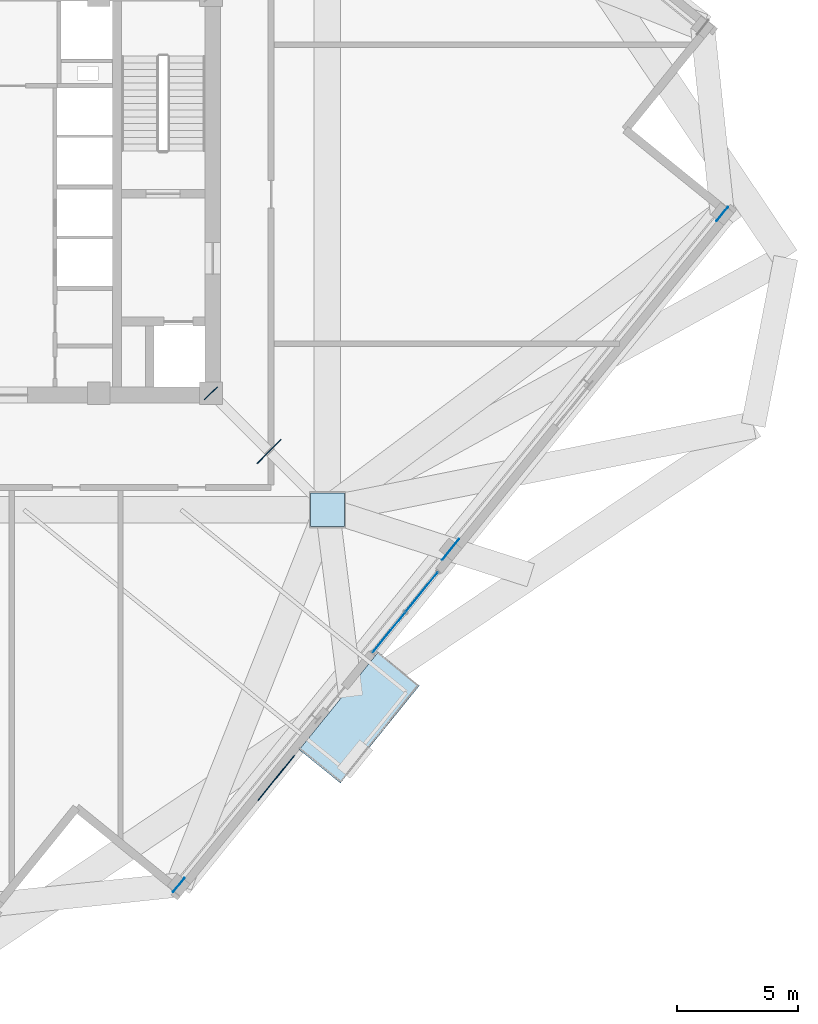
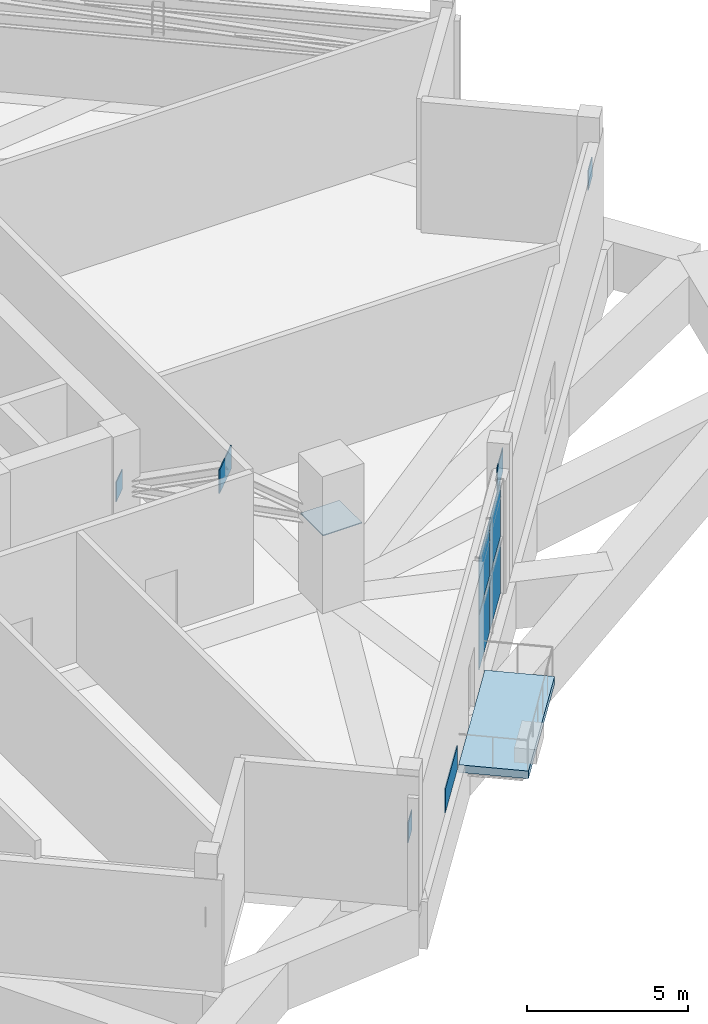
# One storey, part 14 of 22: 11 plates, 1 slab, 1 element without a shape of its own.
"""IFC4 building model written with IfcOpenShell, lengths in metres."""

import ifcopenshell
import ifcopenshell.guid

model = None  # the IFC model being written
_history = None  # IfcOwnerHistory: only IFC2X3 demands one
_inside = {}  # id of a spatial element -> (the spatial element, [elements in it])
_under = {}  # id of a project, library or spatial element -> (it, [spatial elements below it])
_declared = {}  # id of a project -> (the project, [libraries it declares])
_typed = {}  # id of a type object -> (the type object, [elements of that type])
_made_of = {}  # id of a material, layer set ... -> (it, [elements and type objects made of it])


def new_model(schema):
    """Start an empty IFC model of exactly this schema.

    Asked for "IFC4X3", IfcOpenShell would pick the latest addendum, in which some entities
    have other attributes; the version numbers below select the first issue.
    IFC2X3 requires an IfcOwnerHistory on every rooted entity: one is made here for all.
    """
    global model, _history
    if schema == "IFC4X3":
        model = ifcopenshell.file(schema_version=(4, 3, 0, 0))
    else:
        model = ifcopenshell.file(schema=schema)
    _inside.clear()
    _under.clear()
    _declared.clear()
    _typed.clear()
    _made_of.clear()
    _history = None
    if model.schema == "IFC2X3":
        org = make("IfcOrganization", Name="unknown")
        user = make(
            "IfcPersonAndOrganization",
            ThePerson=make("IfcPerson", FamilyName="unknown"),
            TheOrganization=org,
        )
        app = make(
            "IfcApplication",
            ApplicationDeveloper=org,
            Version="unknown",
            ApplicationFullName="unknown",
            ApplicationIdentifier="unknown",
        )
        _history = make(
            "IfcOwnerHistory",
            OwningUser=user,
            OwningApplication=app,
            ChangeAction="ADDED",
            CreationDate=0,
        )
    return model


def make(cls, **values):
    """One entity of the class cls with the attributes given. An attribute that is None is left unset."""
    return model.create_entity(
        cls, **{name: value for name, value in values.items() if value is not None}
    )


def rooted(cls, **values):
    """An entity with a GlobalId (a new one), such as an element, a storey or a relation."""
    return make(cls, GlobalId=ifcopenshell.guid.new(), OwnerHistory=_history, **values)


def si_unit(unit_type, name, prefix=None):
    """IfcSIUnit, for example si_unit("LENGTHUNIT", "METRE", prefix="MILLI")."""
    return make("IfcSIUnit", UnitType=unit_type, Prefix=prefix, Name=name)


def assignment(units):
    """IfcUnitAssignment: the units of a project."""
    return None if units is None else make("IfcUnitAssignment", Units=units)


def point(xyz):
    """IfcCartesianPoint."""
    return None if xyz is None else make("IfcCartesianPoint", Coordinates=xyz)


def direction(xyz):
    """IfcDirection."""
    return None if xyz is None else make("IfcDirection", DirectionRatios=xyz)


def frame(location, z_axis=None, x_axis=None):
    """IfcAxis2Placement3D, a coordinate frame: its origin and axes. An axis left out is left unset."""
    return make(
        "IfcAxis2Placement3D",
        Location=point(location),
        Axis=direction(z_axis),
        RefDirection=direction(x_axis),
    )


def frame_2d(location, x_axis=None):
    """IfcAxis2Placement2D, a coordinate frame in the plane: its origin and x axis."""
    return make(
        "IfcAxis2Placement2D", Location=point(location), RefDirection=direction(x_axis)
    )


def origin():
    """The frame at (0, 0, 0) with its axes left unset."""
    return frame((0.0, 0.0, 0.0))


def origin_2d():
    """The frame at (0, 0) in the plane with its x axis left unset."""
    return frame_2d((0.0, 0.0))


def place(relative_to, where):
    """IfcLocalPlacement: puts the frame where relative to a parent placement (None: the world)."""
    return make(
        "IfcLocalPlacement", PlacementRelTo=relative_to, RelativePlacement=where
    )


def context(
    kind, dimensions, precision=None, world=None, true_north=None, identifier=None
):
    """IfcGeometricRepresentationContext, for example the 3D "Model" context."""
    return make(
        "IfcGeometricRepresentationContext",
        ContextIdentifier=identifier,
        ContextType=kind,
        CoordinateSpaceDimension=dimensions,
        Precision=precision,
        WorldCoordinateSystem=world,
        TrueNorth=true_north,
    )


def subcontext(parent, identifier, kind, view, scale=None):
    """IfcGeometricRepresentationSubContext, for example "Body" below "Model"."""
    return make(
        "IfcGeometricRepresentationSubContext",
        ContextIdentifier=identifier,
        ContextType=kind,
        ParentContext=parent,
        TargetScale=scale,
        TargetView=view,
    )


def project(units=None, contexts=None):
    """IfcProject with its units and contexts."""
    return rooted(
        "IfcProject",
        Name="project",
        RepresentationContexts=contexts,
        UnitsInContext=assignment(units),
    )


def spatial(cls, under=None, at=None, **own):
    """A site, building, storey or space (cls), placed at a placement, below another one or the project."""
    s = rooted(cls, ObjectPlacement=at, **own)
    if under is not None:
        _under.setdefault(under.id(), (under, []))[1].append(s)
    return s


def polyline(points):
    """IfcPolyline through the points."""
    return make("IfcPolyline", Points=[point(p) for p in points])


def profile(cls, at=None, kind="AREA", **sizes):
    """A parametric profile (cls). Its sizes go by their IFC names, for example OverallWidth=200.0."""
    return make(cls, ProfileType=kind, Position=at, **sizes)


def rectangle(**sizes):
    """IfcRectangleProfileDef."""
    return profile("IfcRectangleProfileDef", **sizes)


def outline(outer, holes=None, kind="AREA"):
    """IfcArbitraryClosedProfileDef: a profile drawn as a closed curve; with holes, ...WithVoids."""
    if holes is None:
        return make("IfcArbitraryClosedProfileDef", ProfileType=kind, OuterCurve=outer)
    return make(
        "IfcArbitraryProfileDefWithVoids",
        ProfileType=kind,
        OuterCurve=outer,
        InnerCurves=holes,
    )


def extrude(swept, where, along, depth):
    """IfcExtrudedAreaSolid: the profile swept, set in the frame where, extruded along a direction by depth."""
    return make(
        "IfcExtrudedAreaSolid",
        SweptArea=swept,
        Position=where,
        ExtrudedDirection=direction(along),
        Depth=depth,
    )


def shape(context_of_items, identifier, shape_type, items):
    """IfcShapeRepresentation: the items that make up one representation, for example the "Body"."""
    return make(
        "IfcShapeRepresentation",
        ContextOfItems=context_of_items,
        RepresentationIdentifier=identifier,
        RepresentationType=shape_type,
        Items=items,
    )


def source(mapping_origin, context_of_items, identifier, shape_type, items):
    """IfcRepresentationMap: a shape defined once, which mapped items show again and again."""
    return make(
        "IfcRepresentationMap",
        MappingOrigin=mapping_origin,
        MappedRepresentation=shape(context_of_items, identifier, shape_type, items),
    )


def transform(
    local_origin,
    x_axis=None,
    y_axis=None,
    z_axis=None,
    scale=None,
    scale2=None,
    scale3=None,
    uniform=True,
):
    """IfcCartesianTransformationOperator3D, or its non-uniform kind. x_axis, y_axis, z_axis: its Axis1, 2, 3."""
    if uniform:
        return make(
            "IfcCartesianTransformationOperator3D",
            Axis1=direction(x_axis),
            Axis2=direction(y_axis),
            LocalOrigin=point(local_origin),
            Scale=scale,
            Axis3=direction(z_axis),
        )
    return make(
        "IfcCartesianTransformationOperator3DnonUniform",
        Axis1=direction(x_axis),
        Axis2=direction(y_axis),
        LocalOrigin=point(local_origin),
        Scale=scale,
        Axis3=direction(z_axis),
        Scale2=scale2,
        Scale3=scale3,
    )


def mapped(mapping_source, mapping_target):
    """IfcMappedItem: shows the shape of a source again, moved by a transform."""
    return make(
        "IfcMappedItem", MappingSource=mapping_source, MappingTarget=mapping_target
    )


def material(Name=None, Category=None):
    """IfcMaterial."""
    return make("IfcMaterial", Name=Name, Category=Category)


def layer(
    of_material, thickness, ventilated=None, Name=None, Category=None, Priority=None
):
    """IfcMaterialLayer: one layer of a wall or slab, of a material (None: an air gap)."""
    return make(
        "IfcMaterialLayer",
        Material=of_material,
        LayerThickness=thickness,
        IsVentilated=ventilated,
        Name=Name,
        Category=Category,
        Priority=Priority,
    )


def layer_set(layers, Name=None):
    """IfcMaterialLayerSet."""
    return make("IfcMaterialLayerSet", MaterialLayers=layers, LayerSetName=Name)


def made_of(thing, what):
    """Note that an element or type object is made of a material, layer set ...; save() writes the relation."""
    if what is not None:
        _made_of.setdefault(what.id(), (what, []))[1].append(thing)
    return thing


def type_object(cls, material=None, **own):
    """A type object (cls), such as IfcWallType, which elements share."""
    return made_of(rooted(cls, **own), material)


def element(
    cls,
    number,
    at=None,
    inside=None,
    cuts=None,
    type_object=None,
    material=None,
    context=None,
    identifier="Body",
    shape_type=None,
    held_by="IfcProductDefinitionShape",
    body=None,
    shapes=None,
    **own,
):
    """One element of the class cls, such as IfcWall. Its Tag is "e" and its number.

    at: its placement. inside: the storey or other place that contains it. cuts: it is an
    opening in that element (IfcRelVoidsElement). A single representation is given by context,
    identifier, shape_type and body (its items); several are given by shapes. held_by: the class
    of the entity that holds the representations. save() writes the other relations.
    """
    e = rooted(cls, Tag="e%d" % number, ObjectPlacement=at, **own)
    if body is not None:
        shapes = [shape(context, identifier, shape_type, body)]
    if shapes is not None:
        e.Representation = make(held_by, Representations=shapes)
    if inside is not None:
        _inside.setdefault(inside.id(), (inside, []))[1].append(e)
    if cuts is not None:
        rooted(
            "IfcRelVoidsElement", RelatingBuildingElement=cuts, RelatedOpeningElement=e
        )
    if type_object is not None:
        _typed.setdefault(type_object.id(), (type_object, []))[1].append(e)
    return made_of(e, material)


def aggregate(whole, parts):
    """IfcRelAggregates: a whole, such as a stair, and the parts it consists of."""
    return rooted("IfcRelAggregates", RelatingObject=whole, RelatedObjects=parts)


def save(model, path):
    """Write the relations noted so far, then the file.

    IfcRelAggregates (storeys below a building ...), IfcRelContainedInSpatialStructure (elements
    in a storey), IfcRelDefinesByType, IfcRelAssociatesMaterial and IfcRelDeclares: one each for
    every whole, place, type object, material and project.
    """
    for whole, parts in _under.values():
        aggregate(whole, parts)
    for where, things in _inside.values():
        rooted(
            "IfcRelContainedInSpatialStructure",
            RelatedElements=things,
            RelatingStructure=where,
        )
    for kind, things in _typed.values():
        rooted("IfcRelDefinesByType", RelatedObjects=things, RelatingType=kind)
    for what, things in _made_of.values():
        rooted("IfcRelAssociatesMaterial", RelatedObjects=things, RelatingMaterial=what)
    for by, libraries in _declared.values():
        rooted("IfcRelDeclares", RelatingContext=by, RelatedDefinitions=libraries)
    model.write(path)


model = new_model("IFC4")

# Units and contexts
model_context = context("Model", 3, precision=1e-05, world=origin(), true_north=direction((0.0, 1.0)))
body_context = subcontext(model_context, "Body", "Model", "MODEL_VIEW")
ifc_project = project(units=[si_unit("LENGTHUNIT", "METRE"), si_unit("AREAUNIT", "SQUARE_METRE"), si_unit("VOLUMEUNIT", "CUBIC_METRE"), si_unit("PLANEANGLEUNIT", "RADIAN"), si_unit("MASSUNIT", "GRAM", prefix="KILO"), si_unit("THERMODYNAMICTEMPERATUREUNIT", "KELVIN")], contexts=[model_context])

# Site, building, storey
site_placement = place(None, origin())
site = spatial("IfcSite", under=ifc_project, at=site_placement, CompositionType="ELEMENT")
building_placement = place(site_placement, origin())
building = spatial("IfcBuilding", under=site, at=building_placement, Name="Kosmvard Interchange Tower", CompositionType="ELEMENT")
storey_placement = place(building_placement, frame((0.0, 0.0, 200.39990234375)))
storey = spatial("IfcBuildingStorey", under=building, at=storey_placement, Name="L48", CompositionType="ELEMENT", Elevation=200.39990234375)

# Slab
ifc_material_1 = material(Name="Precast concrete C45/55", Category="concrete")
ifc_layer_1 = layer(ifc_material_1, 0.2900390625, Name="Precast concrete C45/55")
ifc_layer_set_1 = layer_set([ifc_layer_1], Name="Precast concrete C45/55")
slab_type = type_object("IfcSlabType", Name="Cascade Garden Terrace Slab 290 C45/55", PredefinedType="FLOOR", material=ifc_layer_set_1)
slab_placement = place(storey_placement, frame((0.0, 0.0, -0.289794921875)))
element("IfcSlab", 1, at=slab_placement, inside=storey, type_object=slab_type, Name="L48 Outdoor Terrace Balcony Slab SKG-L48-S", PredefinedType="FLOOR", context=body_context, shape_type="SweptSolid", body=[
    extrude(outline(polyline([(13.6220703125, -24.4130859375), (16.89453125, -20.3720703125), (15.184814453125, -18.987548828125), (11.912353515625, -23.028564453125), (13.6220703125, -24.4130859375)])), origin(), (0.0, 0.0, 1.0), 0.289794921875),
])

# Plates
ifc_material_2 = material(Name="Steel S460", Category="steel")
ifc_layer_2 = layer(ifc_material_2, 0.031982421875, Name="Steel S460")
ifc_layer_set_2 = layer_set([ifc_layer_2], Name="Steel S460")
plate_type_1 = type_object("IfcPlateType", Name="Belt Truss Gusset Plate 1100x1100x32 S460", PredefinedType="USERDEFINED", material=ifc_layer_set_2)
shared_shape_1 = source(origin(), body_context, "Body", "SweptSolid", [
    extrude(rectangle(XDim=0.75, YDim=0.031982421875, at=origin_2d()), origin(), (0.0, 0.0, 1.0), 0.75),
])
for number, where, z_axis, x_axis, name in (
    (2, (8.25, -8.25, 2.545166015625), (0.0, 0.0, 1.0), (0.707106781187, 0.707106781187, 0.0), "L48 Outrigger Core End Gusset Plate 2"),
    (3, (6.92041015625, -28.636962890625, 2.445068359375), (0.0, 0.0, 1.0), (0.62932039105, 0.777145961457, 0.0), "L48 Belt Truss End Gusset Plate BAS"),
    (4, (29.449951171875, -0.815185546875, 2.445068359375), (0.0, 0.0, 1.0), (0.62932039105, 0.777145961457, 0.0), "L48 Belt Truss End Gusset Plate BBS"),
):
    element("IfcPlate", number, at=place(storey_placement, frame(where, z_axis=z_axis, x_axis=x_axis)), inside=storey, type_object=plate_type_1, Name=name, ObjectType="GUSSET_PLATE", PredefinedType="USERDEFINED", context=body_context, shape_type="MappedRepresentation", body=[
        mapped(shared_shape_1, transform((0.0, 0.0, 0.0), scale=1.0)),
    ])
ifc_layer_3 = layer(ifc_material_2, 0.035888671875, Name="Steel S460")
ifc_layer_set_3 = layer_set([ifc_layer_3], Name="Steel S460")
plate_type_2 = type_object("IfcPlateType", Name="Outrigger Node Gusset Plate 1400x1400x36 S460", PredefinedType="USERDEFINED", material=ifc_layer_set_3)
shared_shape_2 = source(origin(), body_context, "Body", "SweptSolid", [
    extrude(rectangle(XDim=1.39990234375, YDim=0.035888671875, at=origin_2d()), origin(), (0.0, 0.0, 1.0), 0.89990234375),
])
plate_1_placement = place(storey_placement, frame((10.66552734375, -10.66552734375, 3.710205078125), z_axis=(0.0, 0.0, 1.0), x_axis=(0.707106781187, 0.707106781187, 0.0)))
element("IfcPlate", 5, at=plate_1_placement, inside=storey, type_object=plate_type_2, Name="L48 Outrigger Node Gusset Plate 2", ObjectType="GUSSET_PLATE", PredefinedType="USERDEFINED", context=body_context, shape_type="MappedRepresentation", body=[
    mapped(shared_shape_2, transform((0.0, 0.0, 0.0), scale=1.0)),
])
ifc_layer_4 = layer(ifc_material_2, 0.034912109375, Name="Steel S460")
ifc_layer_set_4 = layer_set([ifc_layer_4], Name="Steel S460")
plate_type_3 = type_object("IfcPlateType", Name="Mega-Column Splice Flange Plate 1400x1400x35 S460", PredefinedType="USERDEFINED", material=ifc_layer_set_4)
shared_shape_3 = source(origin(), body_context, "Body", "SweptSolid", [
    extrude(rectangle(XDim=1.39990234375, YDim=1.39990234375, at=origin_2d()), origin(), (0.0, 0.0, 1.0), 0.034912109375),
])
plate_2_placement = place(storey_placement, frame((13.0810546875, -13.0810546875, 2.90283203125), z_axis=(0.0, 0.0, 1.0), x_axis=(1.0, 0.0, 0.0)))
element("IfcPlate", 6, at=plate_2_placement, inside=storey, type_object=plate_type_3, Name="L48 Mega-Column Splice Flange Plate 2", ObjectType="FLANGE_PLATE", PredefinedType="USERDEFINED", context=body_context, shape_type="MappedRepresentation", body=[
    mapped(shared_shape_3, transform((0.0, 0.0, 0.0), scale=1.0)),
])
shared_shape_4 = source(origin(), body_context, "Body", "SweptSolid", [
    extrude(rectangle(XDim=1.10009765625, YDim=0.031982421875, at=origin_2d()), origin(), (0.0, 0.0, 1.0), 0.89990234375),
])
plate_3_placement = place(storey_placement, frame((18.185302734375, -14.72607421875, 3.530029296875), z_axis=(0.0, 0.0, 1.0), x_axis=(0.62932039105, 0.777145961457, 0.0)))
element("IfcPlate", 7, at=plate_3_placement, inside=storey, type_object=plate_type_1, Name="L48 Belt Truss Node Gusset Plate S", ObjectType="GUSSET_PLATE", PredefinedType="USERDEFINED", context=body_context, shape_type="MappedRepresentation", body=[
    mapped(shared_shape_4, transform((0.0, 0.0, 0.0), scale=1.0)),
])
ifc_material_3 = material(Name="Architectural anodised aluminium", Category="aluminium")
ifc_layer_5 = layer(ifc_material_3, 0.0400390625, Name="Architectural anodised aluminium")
ifc_layer_set_5 = layer_set([ifc_layer_5], Name="Architectural anodised aluminium")
plate_type_4 = type_object("IfcPlateType", Name="Precast Spandrel Shadow Feature Sheet 2400x900x40", PredefinedType="SHEET", material=ifc_layer_set_5)
shared_shape_5 = source(origin(), body_context, "Body", "SweptSolid", [
    extrude(rectangle(XDim=0.0400390625, YDim=2.39990234375, at=origin_2d()), origin(), (0.0, 0.0, 1.0), 0.89990234375),
])
plate_4_placement = place(storey_placement, frame((10.957275390625, -24.198486328125, 0.050048828125), z_axis=(0.0, 0.0, 1.0), x_axis=(0.777146167973, -0.629320136024, 0.0)))
element("IfcPlate", 8, at=plate_4_placement, inside=storey, type_object=plate_type_4, Name="L48 Transfer Spandrel Fascia Sheet S", PredefinedType="SHEET", context=body_context, shape_type="MappedRepresentation", body=[
    mapped(shared_shape_5, transform((0.0, 0.0, 0.0), scale=1.0)),
])

# Curtain wall, plates
ifc_layer_6 = layer(ifc_material_3, 0.2099609375, Name="Architectural anodised aluminium")
ifc_layer_set_6 = layer_set([ifc_layer_6], Name="Architectural anodised aluminium")
curtain_wall_type = type_object("IfcCurtainWallType", Name="CW-4 Refuge Transfer Glazed Louvre Wall", PredefinedType="NOTDEFINED", material=ifc_layer_set_6)
curtain_wall_placement = place(storey_placement, origin())
curtain_wall = element("IfcCurtainWall", 9, at=curtain_wall_placement, inside=storey, type_object=curtain_wall_type, Name="L48 Transfer Louvre Curtain Wall S", PredefinedType="NOTDEFINED")
ifc_material_4 = material(Name="Low-E solar-control double glazing", Category="glass")
ifc_layer_7 = layer(ifc_material_4, 0.028076171875, Name="Low-E solar-control double glazing")
ifc_layer_set_7 = layer_set([ifc_layer_7], Name="Low-E solar-control double glazing")
plate_type_5 = type_object("IfcPlateType", Name="Concourse Vision Curtain Panel 28", PredefinedType="CURTAIN_PANEL", material=ifc_layer_set_7)
shared_shape_6 = source(origin(), body_context, "Body", "SweptSolid", [
    extrude(rectangle(XDim=2.08740234375, YDim=0.028076171875, at=origin_2d()), origin(), (0.0, 0.0, 1.0), 2.08251953125),
])
plate_5_placement = place(storey_placement, frame((15.630859375, -18.16650390625, 0.065185546875), z_axis=(0.0, 0.0, 1.0), x_axis=(0.629320317751, 0.777146020813, 0.0)))
plate_5 = element("IfcPlate", 10, at=plate_5_placement, type_object=plate_type_5, Name="CW-4 panel 1.1", PredefinedType="CURTAIN_PANEL", context=body_context, shape_type="MappedRepresentation", body=[
    mapped(shared_shape_6, transform((0.0, 0.0, 0.0), scale=1.0)),
])
plate_6_placement = place(storey_placement, frame((15.630859375, -18.16650390625, 2.212646484375), z_axis=(0.0, 0.0, 1.0), x_axis=(0.629320317751, 0.777146020813, 0.0)))
plate_6 = element("IfcPlate", 11, at=plate_6_placement, type_object=plate_type_5, Name="CW-4 panel 1.2", PredefinedType="CURTAIN_PANEL", context=body_context, shape_type="MappedRepresentation", body=[
    mapped(shared_shape_6, transform((0.0, 0.0, 0.0), scale=1.0)),
])
plate_7_placement = place(storey_placement, frame((16.99169921875, -16.48583984375, 0.065185546875), z_axis=(0.0, 0.0, 1.0), x_axis=(0.629320317751, 0.777146020813, 0.0)))
plate_7 = element("IfcPlate", 12, at=plate_7_placement, type_object=plate_type_5, Name="CW-4 panel 2.1", PredefinedType="CURTAIN_PANEL", context=body_context, shape_type="MappedRepresentation", body=[
    mapped(shared_shape_6, transform((0.0, 0.0, 0.0), scale=1.0)),
])
plate_8_placement = place(storey_placement, frame((16.99169921875, -16.48583984375, 2.212646484375), z_axis=(0.0, 0.0, 1.0), x_axis=(0.629320317751, 0.777146020813, 0.0)))
plate_8 = element("IfcPlate", 13, at=plate_8_placement, type_object=plate_type_5, Name="CW-4 panel 2.2", PredefinedType="CURTAIN_PANEL", context=body_context, shape_type="MappedRepresentation", body=[
    mapped(shared_shape_6, transform((0.0, 0.0, 0.0), scale=1.0)),
])
aggregate(curtain_wall, [plate_5, plate_6, plate_7, plate_8])

save(model, "model.ifc")
